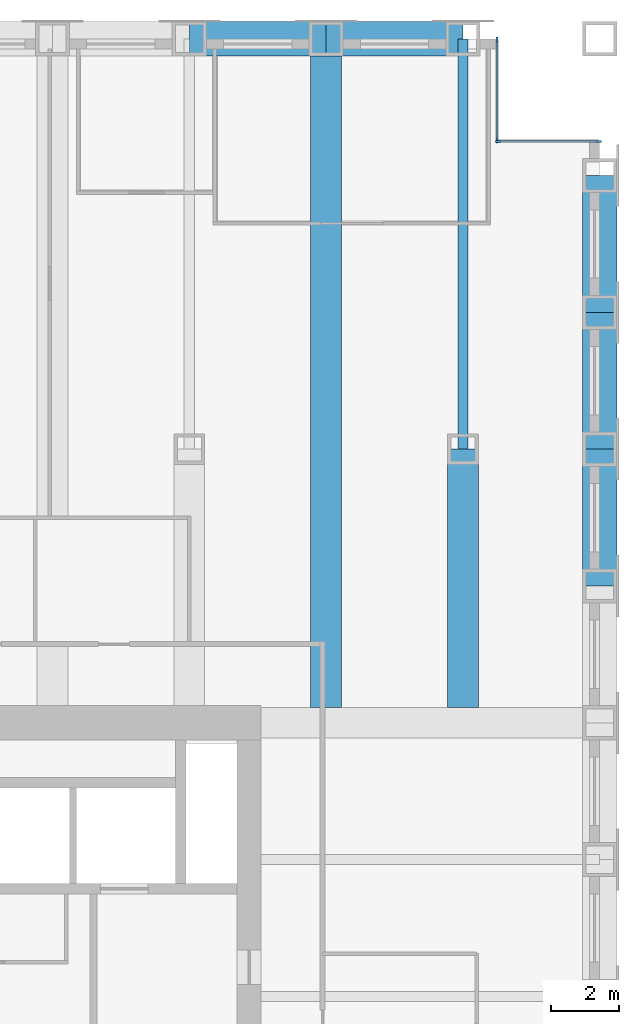
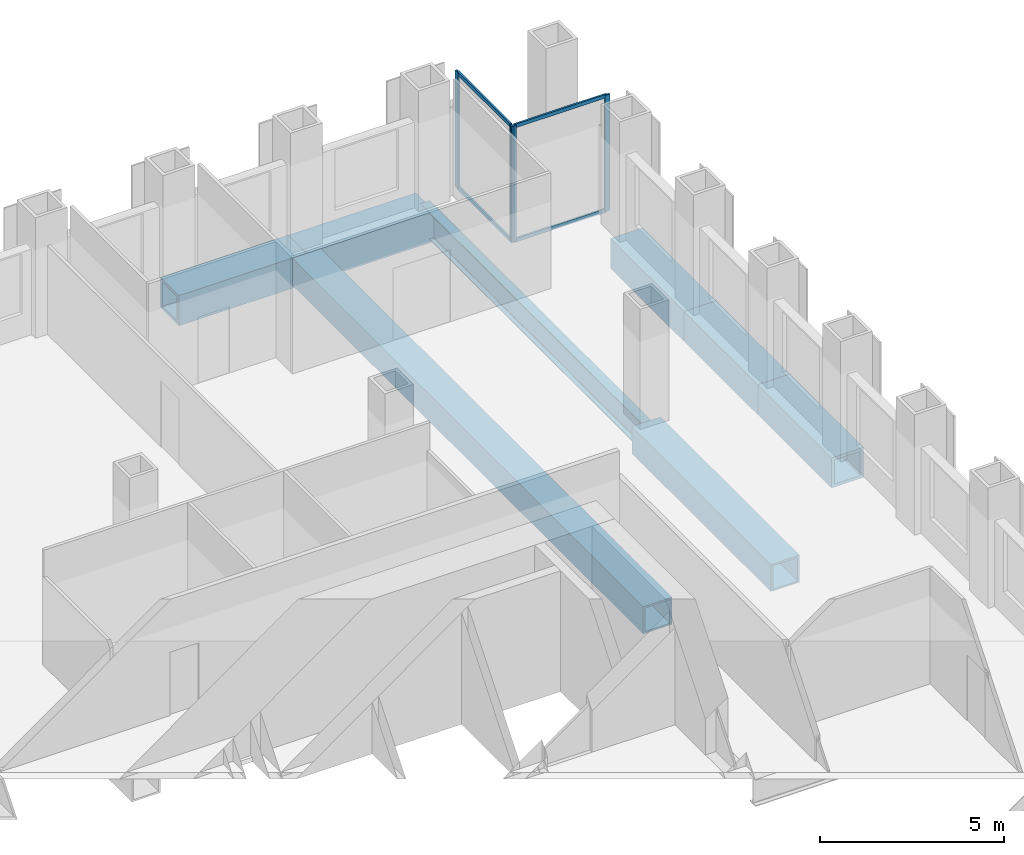
# One storey, part 7 of 13: 8 beams, 8 members, 2 elements without a shape of their own.
"""IFC4 building model written with IfcOpenShell, lengths in metres."""

from ifc_helpers import new_model, si_unit, direction, frame, origin, origin_2d, place, context, subcontext, project, spatial, rectangle, hollow_rectangle, i_section, extrude, material, material_profile, profile_set, type_object, element, aggregate, save


model = new_model("IFC4")

# Units and contexts
model_context = context("Model", 3, precision=1e-05, world=origin(), true_north=direction((0.0, 1.0)))
body_context = subcontext(model_context, "Body", "Model", "MODEL_VIEW")
ifc_project = project(units=[si_unit("LENGTHUNIT", "METRE"), si_unit("AREAUNIT", "SQUARE_METRE"), si_unit("VOLUMEUNIT", "CUBIC_METRE"), si_unit("PLANEANGLEUNIT", "RADIAN"), si_unit("MASSUNIT", "GRAM", prefix="KILO")], contexts=[model_context])

# Site, building, storey
site_placement = place(None, origin())
site = spatial("IfcSite", under=ifc_project, at=site_placement, CompositionType="ELEMENT")
building_placement = place(site_placement, origin())
building = spatial("IfcBuilding", under=site, at=building_placement, Name="Rimbunsela Tower", CompositionType="ELEMENT")
storey_placement = place(building_placement, frame((0.0, 0.0, 187.800048828125)))
storey = spatial("IfcBuildingStorey", under=building, at=storey_placement, Name="L45", CompositionType="ELEMENT", Elevation=187.800048828125)

# Beams
ifc_material_1 = material(Name="Steel BJ 55 (fy 410 MPa)", Category="steel")
ifc_material_profile_1 = material_profile(ifc_material_1, hollow_rectangle(XDim=1.0, YDim=1.0, WallThickness=0.10009765625, at=origin_2d()), Name="BOX 1000x1000x100")
ifc_profile_set_1 = profile_set([ifc_material_profile_1], Name="Steel BJ 55 (fy 410 MPa)")
beam_type_1 = type_object("IfcBeamType", Name="Beam BOX 1000x1000x100", PredefinedType="BEAM", material=ifc_profile_set_1)
for number, where, z_axis, x_axis, name in (
    (1, (34.0, 56.0, -0.650146484375), (1.0, 0.0, 0.0), (0.0, 1.0, 0.0), "Beam B3 L45"),
    (2, (38.0, 56.0, -0.650146484375), (1.0, 0.0, 0.0), (0.0, 1.0, 0.0), "Beam B3 L45"),
    (3, (46.0, 40.0, -0.650146484375), (0.0, 1.0, 0.0), (-1.0, 0.0, 0.0), "Beam B3 L45"),
    (4, (46.0, 44.0, -0.650146484375), (0.0, 1.0, 0.0), (-1.0, 0.0, 0.0), "Beam B3 L45"),
    (5, (46.0, 48.0, -0.650146484375), (0.0, 1.0, 0.0), (-1.0, 0.0, 0.0), "Beam B3 L45"),
):
    element("IfcBeam", number, at=place(storey_placement, frame(where, z_axis=z_axis, x_axis=x_axis)), inside=storey, type_object=beam_type_1, Name=name, PredefinedType="BEAM", context=body_context, shape_type="SweptSolid", body=[
        extrude(hollow_rectangle(XDim=1.0, YDim=1.0, WallThickness=0.10009765625, at=origin_2d()), origin(), (0.0, 0.0, 1.0), 4.0),
    ])
ifc_material_2 = material(Name="Steel BJ 55 (fy 410 MPa)", Category="steel")
ifc_material_profile_2 = material_profile(ifc_material_2, hollow_rectangle(XDim=0.89990234375, YDim=0.89990234375, WallThickness=0.06005859375, at=origin_2d()), Name="BOX 900x900x60")
ifc_profile_set_2 = profile_set([ifc_material_profile_2], Name="Steel BJ 55 (fy 410 MPa)")
beam_type_2 = type_object("IfcBeamType", Name="Beam BOX 900x900x60", PredefinedType="BEAM", material=ifc_profile_set_2)
beam_1_placement = place(storey_placement, frame((38.0, 36.449951171875, -0.60009765625), z_axis=(0.0, 1.0, 0.0), x_axis=(-1.0, 0.0, 0.0)))
element("IfcBeam", 6, at=beam_1_placement, inside=storey, type_object=beam_type_2, Name="Beam B1 L45", PredefinedType="BEAM", context=body_context, shape_type="SweptSolid", body=[
    extrude(hollow_rectangle(XDim=0.89990234375, YDim=0.89990234375, WallThickness=0.06005859375, at=origin_2d()), origin(), (0.0, 0.0, 1.0), 19.550048828125),
])
beam_2_placement = place(storey_placement, frame((42.0, 36.449951171875, -0.60009765625), z_axis=(0.0, 1.0, 0.0), x_axis=(-1.0, 0.0, 0.0)))
element("IfcBeam", 7, at=beam_2_placement, inside=storey, type_object=beam_type_2, Name="Beam B1 L45", PredefinedType="BEAM", context=body_context, shape_type="SweptSolid", body=[
    extrude(hollow_rectangle(XDim=0.89990234375, YDim=0.89990234375, WallThickness=0.06005859375, at=origin_2d()), origin(), (0.0, 0.0, 1.0), 7.550048828125),
])
ifc_material_3 = material(Name="Steel BJ 55 (fy 410 MPa)", Category="steel")
ifc_material_profile_3 = material_profile(ifc_material_3, i_section(OverallWidth=0.300048828125, OverallDepth=0.89990234375, WebThickness=0.01611328125, FlangeThickness=0.028076171875, FilletRadius=0.028076171875, at=origin_2d()), Name="H 900x300x16x28")
ifc_profile_set_3 = profile_set([ifc_material_profile_3], Name="Steel BJ 55 (fy 410 MPa)")
beam_type_3 = type_object("IfcBeamType", Name="Beam H 900x300x16x28", PredefinedType="BEAM", material=ifc_profile_set_3)
beam_3_placement = place(storey_placement, frame((42.0, 44.0, -0.60009765625), z_axis=(0.0, 1.0, 0.0), x_axis=(-1.0, 0.0, 0.0)))
element("IfcBeam", 8, at=beam_3_placement, inside=storey, type_object=beam_type_3, Name="Beam B2 L45", PredefinedType="BEAM", context=body_context, shape_type="SweptSolid", body=[
    extrude(i_section(OverallWidth=0.300048828125, OverallDepth=0.89990234375, WebThickness=0.01611328125, FlangeThickness=0.028076171875, FilletRadius=0.028076171875, at=origin_2d()), origin(), (0.0, 0.0, 1.0), 12.0),
])

# Curtain wall, members
ifc_material_4 = material(Name="Aluminium curtain wall", Category="aluminium")
curtain_wall_type = type_object("IfcCurtainWallType", Name="Corner glazing", PredefinedType="USERDEFINED", material=ifc_material_4)
curtain_wall_1_placement = place(storey_placement, origin())
curtain_wall_1 = element("IfcCurtainWall", 9, at=curtain_wall_1_placement, inside=storey, type_object=curtain_wall_type, Name="Corner glazing L45", ObjectType="CORNER GLAZING", PredefinedType="USERDEFINED")
ifc_material_5 = material(Name="Aluminium mullion", Category="aluminium")
ifc_material_profile_4 = material_profile(ifc_material_5, rectangle(XDim=0.06005859375, YDim=0.159912109375, at=origin_2d()), Name="Mullion 60x160")
ifc_profile_set_4 = profile_set([ifc_material_profile_4], Name="Aluminium mullion")
member_type_1 = type_object("IfcMemberType", Name="Curtain wall mullion 60x160", PredefinedType="MULLION", material=ifc_profile_set_4)
member_1_placement = place(storey_placement, frame((45.969970703125, 53.0, 0.0), z_axis=(0.0, 0.0, 1.0), x_axis=(0.0, -1.0, 0.0)))
member_1 = element("IfcMember", 10, at=member_1_placement, type_object=member_type_1, Name="CW5 mullion 1", PredefinedType="MULLION", context=body_context, shape_type="SweptSolid", body=[
    extrude(rectangle(XDim=0.06005859375, YDim=0.159912109375, at=origin_2d()), origin(), (0.0, 0.0, 1.0), 3.849853515625),
])
member_2_placement = place(storey_placement, frame((43.030029296875, 53.0, 0.0), z_axis=(0.0, 0.0, 1.0), x_axis=(0.0, -1.0, 0.0)))
member_2 = element("IfcMember", 11, at=member_2_placement, type_object=member_type_1, Name="CW5 mullion 2", PredefinedType="MULLION", context=body_context, shape_type="SweptSolid", body=[
    extrude(rectangle(XDim=0.06005859375, YDim=0.159912109375, at=origin_2d()), origin(), (0.0, 0.0, 1.0), 3.849853515625),
])

curtain_wall_2_placement = place(storey_placement, origin())
curtain_wall_2 = element("IfcCurtainWall", 12, at=curtain_wall_2_placement, inside=storey, type_object=curtain_wall_type, Name="Corner glazing L45", ObjectType="CORNER GLAZING", PredefinedType="USERDEFINED")
member_3_placement = place(storey_placement, frame((43.0, 53.030029296875, 0.0), z_axis=(0.0, 0.0, 1.0), x_axis=(-1.0, 0.0, 0.0)))
member_3 = element("IfcMember", 13, at=member_3_placement, type_object=member_type_1, Name="CW5 mullion 1", PredefinedType="MULLION", context=body_context, shape_type="SweptSolid", body=[
    extrude(rectangle(XDim=0.06005859375, YDim=0.159912109375, at=origin_2d()), origin(), (0.0, 0.0, 1.0), 3.849853515625),
])
member_4_placement = place(storey_placement, frame((43.0, 55.969970703125, 0.0), z_axis=(0.0, 0.0, 1.0), x_axis=(-1.0, 0.0, 0.0)))
member_4 = element("IfcMember", 14, at=member_4_placement, type_object=member_type_1, Name="CW5 mullion 2", PredefinedType="MULLION", context=body_context, shape_type="SweptSolid", body=[
    extrude(rectangle(XDim=0.06005859375, YDim=0.159912109375, at=origin_2d()), origin(), (0.0, 0.0, 1.0), 3.849853515625),
])

# Member
ifc_material_6 = material(Name="Aluminium transom", Category="aluminium")
ifc_material_profile_5 = material_profile(ifc_material_6, rectangle(XDim=0.06005859375, YDim=0.1201171875, at=origin_2d()), Name="Transom 60x120")
ifc_profile_set_5 = profile_set([ifc_material_profile_5], Name="Aluminium transom")
member_type_2 = type_object("IfcMemberType", Name="Curtain wall transom 60x120", PredefinedType="USERDEFINED", material=ifc_profile_set_5)
member_5_placement = place(storey_placement, frame((45.93994140625, 53.0, 0.030029296875), z_axis=(-1.0, 0.0, 0.0), x_axis=(0.0, -1.0, 0.0)))
member_5 = element("IfcMember", 15, at=member_5_placement, type_object=member_type_2, Name="CW5 transom 1.1", ObjectType="TRANSOM", PredefinedType="USERDEFINED", context=body_context, shape_type="SweptSolid", body=[
    extrude(rectangle(XDim=0.06005859375, YDim=0.1201171875, at=origin_2d()), origin(), (0.0, 0.0, 1.0), 2.8798828125),
])

member_6_placement = place(storey_placement, frame((45.93994140625, 53.0, 3.820068359375), z_axis=(-1.0, 0.0, 0.0), x_axis=(0.0, -1.0, 0.0)))
member_6 = element("IfcMember", 16, at=member_6_placement, type_object=member_type_2, Name="CW5 transom 1.2", ObjectType="TRANSOM", PredefinedType="USERDEFINED", context=body_context, shape_type="SweptSolid", body=[
    extrude(rectangle(XDim=0.06005859375, YDim=0.1201171875, at=origin_2d()), origin(), (0.0, 0.0, 1.0), 2.8798828125),
])

aggregate(curtain_wall_1, [member_1, member_2, member_5, member_6])

member_7_placement = place(storey_placement, frame((43.0, 53.06005859375, 0.030029296875), z_axis=(0.0, 1.0, 0.0), x_axis=(-1.0, 0.0, 0.0)))
member_7 = element("IfcMember", 17, at=member_7_placement, type_object=member_type_2, Name="CW5 transom 1.1", ObjectType="TRANSOM", PredefinedType="USERDEFINED", context=body_context, shape_type="SweptSolid", body=[
    extrude(rectangle(XDim=0.06005859375, YDim=0.1201171875, at=origin_2d()), origin(), (0.0, 0.0, 1.0), 2.8798828125),
])

member_8_placement = place(storey_placement, frame((43.0, 53.06005859375, 3.820068359375), z_axis=(0.0, 1.0, 0.0), x_axis=(-1.0, 0.0, 0.0)))
member_8 = element("IfcMember", 18, at=member_8_placement, type_object=member_type_2, Name="CW5 transom 1.2", ObjectType="TRANSOM", PredefinedType="USERDEFINED", context=body_context, shape_type="SweptSolid", body=[
    extrude(rectangle(XDim=0.06005859375, YDim=0.1201171875, at=origin_2d()), origin(), (0.0, 0.0, 1.0), 2.8798828125),
])

aggregate(curtain_wall_2, [member_3, member_4, member_7, member_8])

save(model, "model.ifc")
